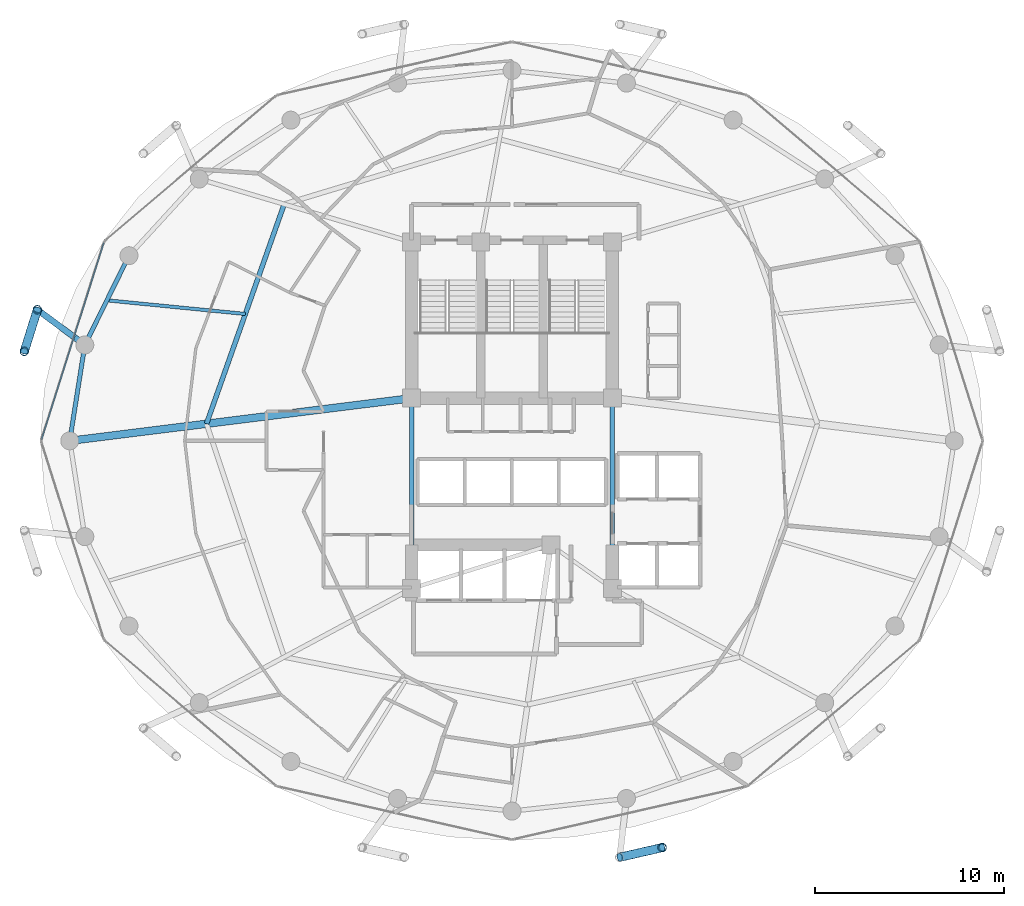
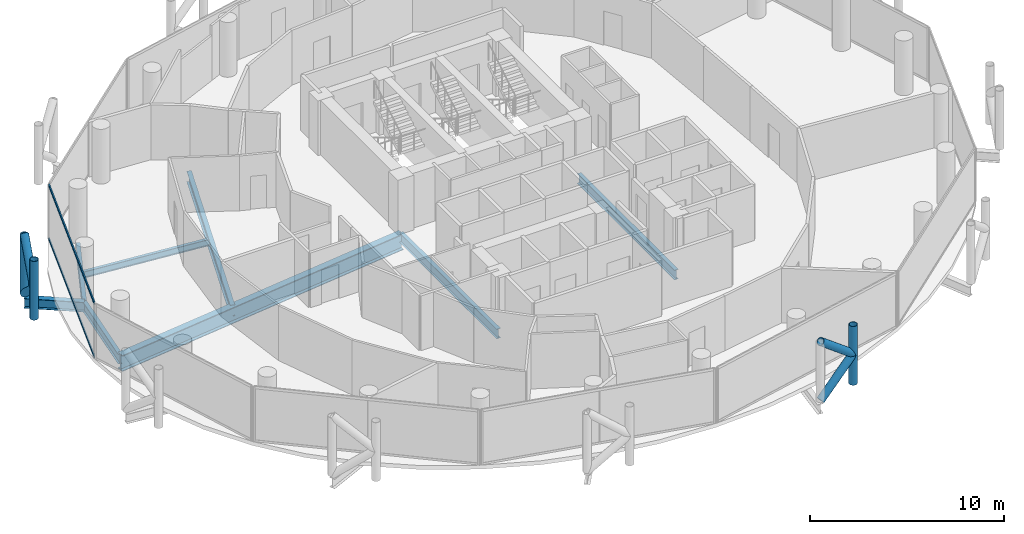
# One storey, part 7 of 26: 9 members, 8 beams, 1 element without a shape of its own.
"""IFC4 building model written with IfcOpenShell, lengths in metres."""

from ifc_helpers import new_model, si_unit, direction, frame, origin, origin_2d, place, context, subcontext, project, spatial, hollow_rectangle, hollow_circle, i_section, extrude, material, layer, layer_set, material_profile, profile_set, type_object, element, aggregate, save


model = new_model("IFC4")

# Units and contexts
model_context = context("Model", 3, precision=1e-05, world=origin(), true_north=direction((0.0, 1.0)))
body_context = subcontext(model_context, "Body", "Model", "MODEL_VIEW")
ifc_project = project(units=[si_unit("LENGTHUNIT", "METRE"), si_unit("AREAUNIT", "SQUARE_METRE"), si_unit("VOLUMEUNIT", "CUBIC_METRE"), si_unit("PLANEANGLEUNIT", "RADIAN"), si_unit("MASSUNIT", "GRAM", prefix="KILO")], contexts=[model_context])

# Site, building, storey
site_placement = place(None, origin())
site = spatial("IfcSite", under=ifc_project, at=site_placement, CompositionType="ELEMENT")
building_placement = place(site_placement, origin())
building = spatial("IfcBuilding", under=site, at=building_placement, Name="Nuhasar Tower", CompositionType="ELEMENT")
storey_placement = place(building_placement, frame((0.0, 0.0, 162.64990234375)))
storey = spatial("IfcBuildingStorey", under=building, at=storey_placement, Name="L39", CompositionType="ELEMENT", Elevation=162.64990234375)

# Beams
ifc_material_1 = material(Name="Steel S355", Category="steel")
ifc_material_profile_1 = material_profile(ifc_material_1, i_section(OverallWidth=0.25390625, OverallDepth=0.68408203125, WebThickness=0.012451171875, FlangeThickness=0.018798828125, at=origin_2d()), Name="W27X94")
ifc_profile_set_1 = profile_set([ifc_material_profile_1], Name="Steel S355")
beam_type_1 = type_object("IfcBeamType", Name="BM-INRING-W27X94", PredefinedType="BEAM", material=ifc_profile_set_1)
beam_1_placement = place(storey_placement, frame((26.972900390625, 39.2939453125, -0.591796875), z_axis=(-0.333599821096, -0.942714781556, 0.0), x_axis=(0.942714781556, -0.333599821096, 0.0)))
element("IfcBeam", 1, at=beam_1_placement, inside=storey, type_object=beam_type_1, Name="L39 Inner Header Beam 07", PredefinedType="BEAM", context=body_context, shape_type="SweptSolid", body=[
    extrude(i_section(OverallWidth=0.25390625, OverallDepth=0.68408203125, WebThickness=0.012451171875, FlangeThickness=0.018798828125, at=origin_2d()), origin(), (0.0, 0.0, 1.0), 12.298583984375),
])
ifc_material_profile_2 = material_profile(ifc_material_1, i_section(OverallWidth=0.177978515625, OverallDepth=0.406005859375, WebThickness=0.0078125, FlangeThickness=0.0126953125, at=origin_2d()), Name="W16X40")
ifc_profile_set_2 = profile_set([ifc_material_profile_2], Name="Steel S355")
beam_type_2 = type_object("IfcBeamType", Name="BM-JST-W16X40", PredefinedType="JOIST", material=ifc_profile_set_2)
beam_2_placement = place(storey_placement, frame((24.922119140625, 33.4970703125, -0.452880859375), z_axis=(-0.995171845755, 0.098147834497, 0.0), x_axis=(-0.098147834497, -0.995171845755, 0.0)))
element("IfcBeam", 2, at=beam_2_placement, inside=storey, type_object=beam_type_2, Name="L39 Secondary Floor Joist 07", PredefinedType="JOIST", context=body_context, shape_type="SweptSolid", body=[
    extrude(i_section(OverallWidth=0.177978515625, OverallDepth=0.406005859375, WebThickness=0.0078125, FlangeThickness=0.0126953125, at=origin_2d()), origin(), (0.0, 0.0, 1.0), 7.345458984375),
])
ifc_material_profile_3 = material_profile(ifc_material_1, i_section(OverallWidth=0.22900390625, OverallDepth=0.612060546875, WebThickness=0.011962890625, FlangeThickness=0.01953125, at=origin_2d()), Name="W24X84")
ifc_profile_set_3 = profile_set([ifc_material_profile_3], Name="Steel S355")
beam_type_3 = type_object("IfcBeamType", Name="BM-RAD-W24X84", PredefinedType="BEAM", material=ifc_profile_set_3)
for number, where, z_axis, x_axis, name in (
    (3, (44.300048828125, 19.0, -0.555908203125), (0.0, 1.0, 0.0), (-1.0, 0.0, 0.0), "L39 Core Ring Girder 3"),
    (4, (33.699951171875, 29.050048828125, -0.555908203125), (0.0, -1.0, 0.0), (1.0, 0.0, 0.0), "L39 Core Ring Girder 8"),
):
    element("IfcBeam", number, at=place(storey_placement, frame(where, z_axis=z_axis, x_axis=x_axis)), inside=storey, type_object=beam_type_3, Name=name, PredefinedType="BEAM", context=body_context, shape_type="SweptSolid", body=[
        extrude(i_section(OverallWidth=0.22900390625, OverallDepth=0.612060546875, WebThickness=0.011962890625, FlangeThickness=0.01953125, at=origin_2d()), origin(), (0.0, 0.0, 1.0), 10.050048828125),
    ])
ifc_material_profile_4 = material_profile(ifc_material_1, i_section(OverallWidth=0.22998046875, OverallDepth=0.616943359375, WebThickness=0.01318359375, FlangeThickness=0.022216796875, at=origin_2d()), Name="W24X94")
ifc_profile_set_4 = profile_set([ifc_material_profile_4], Name="Steel S355")
beam_type_4 = type_object("IfcBeamType", Name="BM-RING-W24X94", PredefinedType="SPANDREL", material=ifc_profile_set_4)
beam_3_placement = place(storey_placement, frame((18.778076171875, 36.574951171875, -0.558837890625), z_axis=(-0.443347771709, -0.896349682501, 0.0), x_axis=(0.896349682501, -0.443347771709, 0.0)))
element("IfcBeam", 5, at=beam_3_placement, inside=storey, type_object=beam_type_4, Name="L39 Perimeter Ring Spandrel 11", PredefinedType="SPANDREL", context=body_context, shape_type="SweptSolid", body=[
    extrude(i_section(OverallWidth=0.22998046875, OverallDepth=0.616943359375, WebThickness=0.01318359375, FlangeThickness=0.022216796875, at=origin_2d()), origin(), (0.0, 0.0, 1.0), 5.260009765625),
])
beam_4_placement = place(storey_placement, frame((16.446044921875, 31.860107421875, -0.558837890625), z_axis=(-0.155426543608, -0.987847452566, 0.0), x_axis=(0.987847452566, -0.155426543608, 0.0)))
element("IfcBeam", 6, at=beam_4_placement, inside=storey, type_object=beam_type_4, Name="L39 Perimeter Ring Spandrel 12", PredefinedType="SPANDREL", context=body_context, shape_type="SweptSolid", body=[
    extrude(i_section(OverallWidth=0.22998046875, OverallDepth=0.616943359375, WebThickness=0.01318359375, FlangeThickness=0.022216796875, at=origin_2d()), origin(), (0.0, 0.0, 1.0), 5.122314453125),
])
ifc_material_profile_5 = material_profile(ifc_material_1, i_section(OverallWidth=0.323974609375, OverallDepth=0.611083984375, WebThickness=0.0126953125, FlangeThickness=0.01904296875, at=origin_2d()), Name="W24X104")
ifc_profile_set_5 = profile_set([ifc_material_profile_5], Name="Steel S355")
beam_type_5 = type_object("IfcBeamType", Name="BM-TIE-W24X104", PredefinedType="BEAM", material=ifc_profile_set_5)
beam_5_placement = place(storey_placement, frame((16.446044921875, 31.860107421875, -0.554931640625), z_axis=(-0.802872198291, 0.596151183183, 0.0), x_axis=(-0.596151183183, -0.802872198291, 0.0)))
element("IfcBeam", 7, at=beam_5_placement, inside=storey, type_object=beam_type_5, Name="L39 Exoskeleton Node Tie Beam 06", PredefinedType="BEAM", context=body_context, shape_type="SweptSolid", body=[
    extrude(i_section(OverallWidth=0.323974609375, OverallDepth=0.611083984375, WebThickness=0.0126953125, FlangeThickness=0.01904296875, at=origin_2d()), origin(), (0.0, 0.0, 1.0), 3.121337890625),
])
ifc_material_2 = material(Name="Steel S460", Category="steel")
ifc_material_profile_6 = material_profile(ifc_material_2, i_section(OverallWidth=0.40087890625, OverallDepth=1.010009765625, WebThickness=0.023681640625, FlangeThickness=0.0419921875, at=origin_2d()), Name="W40X297")
ifc_profile_set_6 = profile_set([ifc_material_profile_6], Name="Steel S460")
beam_type_6 = type_object("IfcBeamType", Name="BM-XFER-W40X297", PredefinedType="USERDEFINED", material=ifc_profile_set_6)
beam_6_placement = place(storey_placement, frame((33.699951171875, 29.050048828125, -0.7548828125), z_axis=(-0.992320149485, -0.123696082908, 0.0), x_axis=(0.123696082908, -0.992320149485, 0.0)))
element("IfcBeam", 8, at=beam_6_placement, inside=storey, type_object=beam_type_6, Name="L39 Radial Floor Girder 08", ObjectType="GIRDER", PredefinedType="USERDEFINED", context=body_context, shape_type="SweptSolid", body=[
    extrude(i_section(OverallWidth=0.40087890625, OverallDepth=1.010009765625, WebThickness=0.023681640625, FlangeThickness=0.0419921875, at=origin_2d()), origin(), (0.0, 0.0, 1.0), 18.189697265625),
])

# Curtain wall, members
ifc_material_3 = material(Name="Aluminium 6063-T6", Category="aluminium")
ifc_layer = layer(ifc_material_3, 0.199951171875)
ifc_layer_set = layer_set([ifc_layer], Name="Aluminium 6063-T6")
curtain_wall_type = type_object("IfcCurtainWallType", Name="CW-Z2-HTL", PredefinedType="NOTDEFINED", material=ifc_layer_set)
curtain_wall_placement = place(storey_placement, origin())
curtain_wall = element("IfcCurtainWall", 9, at=curtain_wall_placement, inside=storey, type_object=curtain_wall_type, Name="L39 Unitised Curtain Wall 06", PredefinedType="NOTDEFINED")
ifc_material_profile_7 = material_profile(ifc_material_3, hollow_rectangle(XDim=0.070068359375, YDim=0.159912109375, WallThickness=0.00439453125, at=origin_2d()), Name="CWT-3")
ifc_profile_set_7 = profile_set([ifc_material_profile_7], Name="Aluminium 6063-T6")
member_type_1 = type_object("IfcMemberType", Name="CW-TRN-S3", PredefinedType="USERDEFINED", material=ifc_profile_set_7)
member_1_placement = place(storey_placement, frame((17.449951171875, 37.26318359375, 0.03515625), z_axis=(-0.301608163352, -0.953431967053, 0.0), x_axis=(0.953431967053, -0.301608163352, 0.0)))
member_1 = element("IfcMember", 10, at=member_1_placement, type_object=member_type_1, Name="CW-Z2 transom 1.1", ObjectType="TRANSOM", PredefinedType="USERDEFINED", context=body_context, shape_type="SweptSolid", body=[
    extrude(hollow_rectangle(XDim=0.070068359375, YDim=0.159912109375, WallThickness=0.00439453125, at=origin_2d()), origin(), (0.0, 0.0, 1.0), 10.904296875),
])
member_2_placement = place(storey_placement, frame((17.449951171875, 37.26318359375, 3.4150390625), z_axis=(-0.301608163352, -0.953431967053, 0.0), x_axis=(0.953431967053, -0.301608163352, 0.0)))
member_2 = element("IfcMember", 11, at=member_2_placement, type_object=member_type_1, Name="CW-Z2 transom 1.2", ObjectType="TRANSOM", PredefinedType="USERDEFINED", context=body_context, shape_type="SweptSolid", body=[
    extrude(hollow_rectangle(XDim=0.070068359375, YDim=0.159912109375, WallThickness=0.00439453125, at=origin_2d()), origin(), (0.0, 0.0, 1.0), 10.904296875),
])
aggregate(curtain_wall, [member_1, member_2])

# Members
ifc_material_profile_8 = material_profile(ifc_material_2, hollow_circle(Radius=0.228515625, WallThickness=0.022216796875, at=origin_2d()), Name="HSS457X22.2")
ifc_profile_set_8 = profile_set([ifc_material_profile_8], Name="Steel S460")
member_type_2 = type_object("IfcMemberType", Name="EXO-BRONZE-457", PredefinedType="BRACE", material=ifc_profile_set_8)
for number, where, z_axis, x_axis, name in (
    (12, (13.93994140625, 33.720947265625, 0.0), (0.0, 0.0, 1.0), (1.0, 0.0, 0.0), "L39 Exoskeleton Chord Column EC-06A"),
    (13, (13.251953125, 31.52587890625, 0.0), (0.0, 0.0, 1.0), (1.0, 0.0, 0.0), "L39 Exoskeleton Chord Column EC-06B"),
    (14, (46.927978515625, 5.323974609375, 0.0), (0.0, 0.0, 1.0), (1.0, 0.0, 0.0), "L39 Exoskeleton Chord Column EC-10B"),
):
    element("IfcMember", number, at=place(storey_placement, frame(where, z_axis=z_axis, x_axis=x_axis)), inside=storey, type_object=member_type_2, Name=name, PredefinedType="BRACE", context=body_context, shape_type="SweptSolid", body=[
        extrude(hollow_circle(Radius=0.228515625, WallThickness=0.022216796875, at=origin_2d()), origin(), (0.0, 0.0, 1.0), 3.7001953125),
    ])
for number, where, z_axis, x_axis, name in (
    (15, (13.93994140625, 33.720947265625, 0.0), (-0.233055548538, -0.743577869731, 0.626719285599), (0.954228474306, -0.29907861646, 0.0), "L39 Bronze Diagrid Brace W1-06"),
    (16, (13.251953125, 31.52587890625, 1.85009765625), (0.233055548538, 0.743577869731, 0.626719285599), (-0.954228474306, 0.29907861646, 0.0), "L39 Bronze Diagrid Brace W2-06"),
):
    element("IfcMember", number, at=place(storey_placement, frame(where, z_axis=z_axis, x_axis=x_axis)), inside=storey, type_object=member_type_2, Name=name, PredefinedType="BRACE", context=body_context, shape_type="SweptSolid", body=[
        extrude(hollow_circle(Radius=0.228515625, WallThickness=0.022216796875, at=origin_2d()), origin(), (0.0, 0.0, 1.0), 2.9521484375),
    ])
for number, where, z_axis, x_axis, name in (
    (17, (44.68603515625, 4.81005859375, 0.0), (0.759510488094, 0.174101010284, 0.626763637022), (-0.223432882746, 0.974719316987, 0.0), "L39 Bronze Diagrid Brace W1-10"),
    (18, (46.927978515625, 5.323974609375, 1.85009765625), (-0.759510488094, -0.174101010284, 0.626763637022), (0.223432882746, -0.974719316987, 0.0), "L39 Bronze Diagrid Brace W2-10"),
):
    element("IfcMember", number, at=place(storey_placement, frame(where, z_axis=z_axis, x_axis=x_axis)), inside=storey, type_object=member_type_2, Name=name, PredefinedType="BRACE", context=body_context, shape_type="SweptSolid", body=[
        extrude(hollow_circle(Radius=0.228515625, WallThickness=0.022216796875, at=origin_2d()), origin(), (0.0, 0.0, 1.0), 2.951904296875),
    ])

save(model, "model.ifc")
